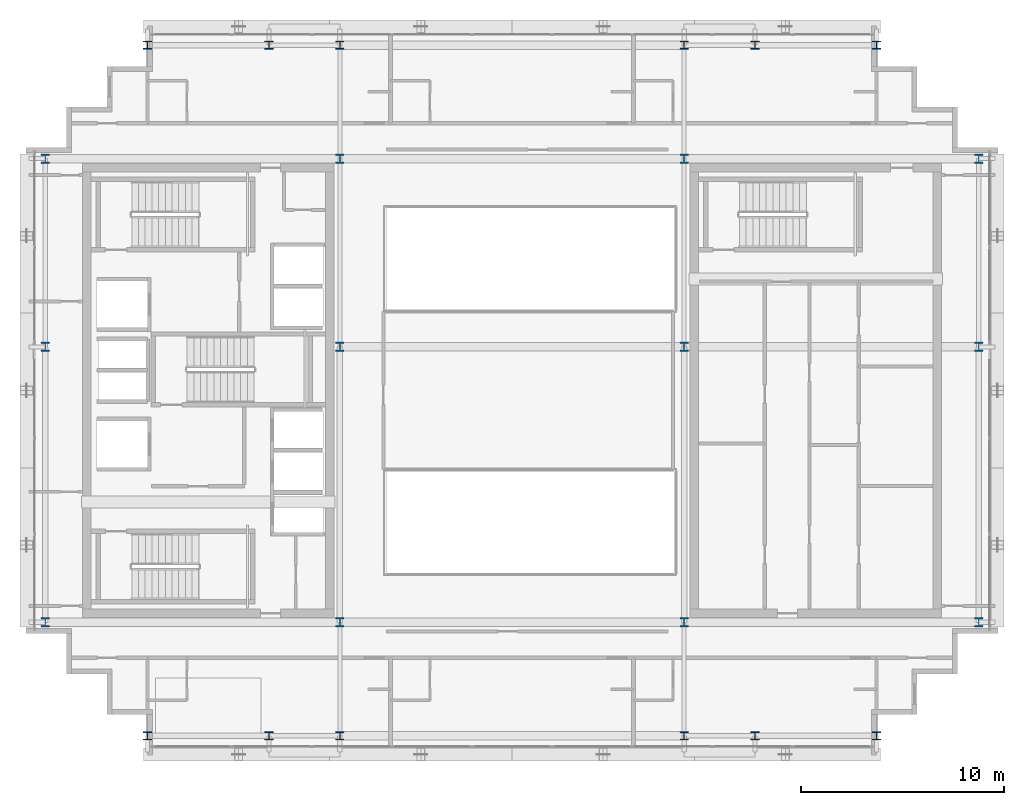
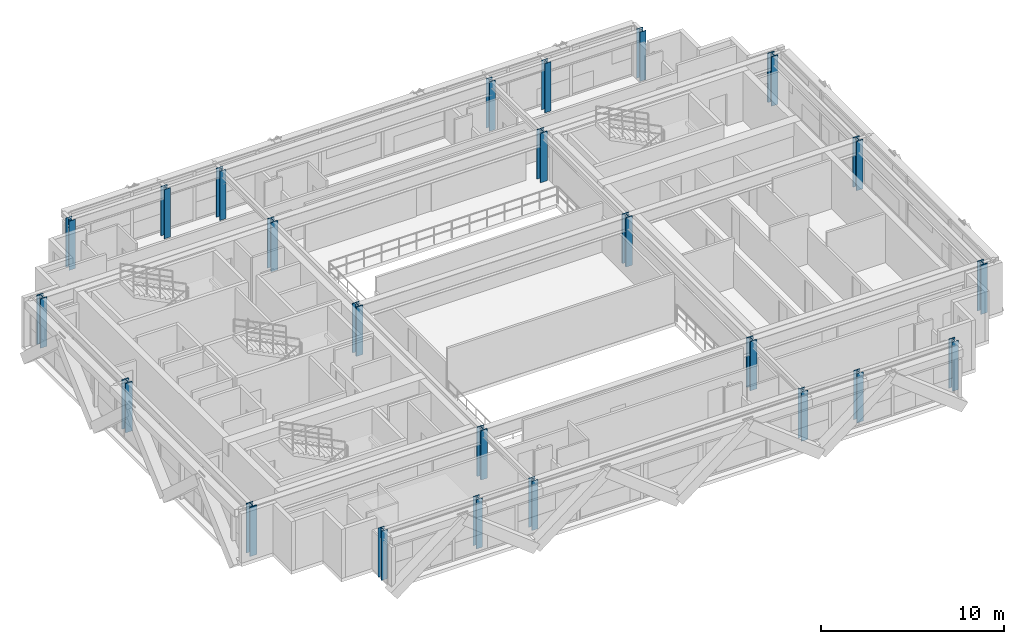
# One storey, part 1 of 28: 24 columns.
"""IFC4 building model written with IfcOpenShell, lengths in metres."""

from ifc_helpers import new_model, si_unit, direction, frame, origin, origin_2d, place, context, subcontext, project, spatial, i_section, extrude, source, transform, mapped, material, material_profile, profile_set, type_object, element, save


model = new_model("IFC4")

# Units and contexts
model_context = context("Model", 3, precision=1e-05, world=origin(), true_north=direction((0.0, 1.0)))
body_context = subcontext(model_context, "Body", "Model", "MODEL_VIEW")
ifc_project = project(units=[si_unit("LENGTHUNIT", "METRE"), si_unit("AREAUNIT", "SQUARE_METRE"), si_unit("VOLUMEUNIT", "CUBIC_METRE"), si_unit("PLANEANGLEUNIT", "RADIAN"), si_unit("MASSUNIT", "GRAM", prefix="KILO")], contexts=[model_context])

# Site, building, storey
site_placement = place(None, origin())
site = spatial("IfcSite", under=ifc_project, at=site_placement, CompositionType="ELEMENT")
building_placement = place(site_placement, origin())
building = spatial("IfcBuilding", under=site, at=building_placement, Name="Ocotamira Hotel", CompositionType="ELEMENT")
storey_placement = place(building_placement, frame((0.0, 0.0, 243.60009765625)))
storey = spatial("IfcBuildingStorey", under=building, at=storey_placement, Name="L61", CompositionType="ELEMENT", Elevation=243.60009765625)

# Columns
ifc_material_1 = material(Name="Steel ASTM A913 Grade 65", Category="steel")
ifc_material_profile_1 = material_profile(ifc_material_1, i_section(OverallWidth=0.422119140625, OverallDepth=0.465087890625, WebThickness=0.044921875, FlangeThickness=0.072509765625, FilletRadius=0.02490234375, at=origin_2d()), Name="W14X398")
ifc_profile_set_1 = profile_set([ifc_material_profile_1], Name="Steel ASTM A913 Grade 65")
column_type_1 = type_object("IfcColumnType", Name="COL-W14X398", PredefinedType="COLUMN", material=ifc_profile_set_1)
shared_shape_1 = source(origin(), body_context, "Body", "SweptSolid", [
    extrude(i_section(OverallWidth=0.422119140625, OverallDepth=0.465087890625, WebThickness=0.044921875, FlangeThickness=0.072509765625, FilletRadius=0.02490234375, at=origin_2d()), origin(), (0.0, 0.0, 1.0), 3.27978515625),
])
for number, where, z_axis, x_axis, name in (
    (1, (8.949951171875, 14.550048828125, 0.0), (0.0, 0.0, 1.0), (1.0, 0.0, 0.0), "L61 Column TW8_14"),
    (2, (23.5, 14.550048828125, 0.0), (0.0, 0.0, 1.0), (1.0, 0.0, 0.0), "L61 Column TW23_14"),
    (3, (40.5, 14.550048828125, 0.0), (0.0, 0.0, 1.0), (1.0, 0.0, 0.0), "L61 Column TE40_14"),
    (4, (55.050048828125, 14.550048828125, 0.0), (0.0, 0.0, 1.0), (1.0, 0.0, 0.0), "L61 Column TE55_14"),
    (5, (8.949951171875, 28.14990234375, 0.0), (0.0, 0.0, 1.0), (1.0, 0.0, 0.0), "L61 Column TW8_28"),
    (6, (23.5, 28.14990234375, 0.0), (0.0, 0.0, 1.0), (1.0, 0.0, 0.0), "L61 Column TW23_28"),
    (7, (40.5, 28.14990234375, 0.0), (0.0, 0.0, 1.0), (1.0, 0.0, 0.0), "L61 Column TE40_28"),
    (8, (55.050048828125, 28.14990234375, 0.0), (0.0, 0.0, 1.0), (1.0, 0.0, 0.0), "L61 Column TE55_28"),
    (9, (8.949951171875, 37.449951171875, 0.0), (0.0, 0.0, 1.0), (1.0, 0.0, 0.0), "L61 Column TW8_37"),
    (10, (23.5, 37.449951171875, 0.0), (0.0, 0.0, 1.0), (1.0, 0.0, 0.0), "L61 Column TW23_37"),
    (11, (40.5, 37.449951171875, 0.0), (0.0, 0.0, 1.0), (1.0, 0.0, 0.0), "L61 Column TE40_37"),
    (12, (55.050048828125, 37.449951171875, 0.0), (0.0, 0.0, 1.0), (1.0, 0.0, 0.0), "L61 Column TE55_37"),
):
    element("IfcColumn", number, at=place(storey_placement, frame(where, z_axis=z_axis, x_axis=x_axis)), inside=storey, type_object=column_type_1, Name=name, PredefinedType="COLUMN", context=body_context, shape_type="MappedRepresentation", body=[
        mapped(shared_shape_1, transform((0.0, 0.0, 0.0), scale=1.0)),
    ])
ifc_material_2 = material(Name="Steel ASTM A992 Grade 50", Category="steel")
ifc_material_profile_2 = material_profile(ifc_material_2, i_section(OverallWidth=0.39892578125, OverallDepth=0.386962890625, WebThickness=0.02099609375, FlangeThickness=0.033203125, FilletRadius=0.02490234375, at=origin_2d()), Name="W14X176")
ifc_profile_set_2 = profile_set([ifc_material_profile_2], Name="Steel ASTM A992 Grade 50")
column_type_2 = type_object("IfcColumnType", Name="COL-W14X176", PredefinedType="COLUMN", material=ifc_profile_set_2)
shared_shape_2 = source(origin(), body_context, "Body", "SweptSolid", [
    extrude(i_section(OverallWidth=0.39892578125, OverallDepth=0.386962890625, WebThickness=0.02099609375, FlangeThickness=0.033203125, FilletRadius=0.02490234375, at=origin_2d()), origin(), (0.0, 0.0, 1.0), 3.27978515625),
])
for number, where, z_axis, x_axis, name in (
    (13, (14.0, 8.949951171875, 0.0), (0.0, 0.0, 1.0), (1.0, 0.0, 0.0), "L61 Column NSP1_14"),
    (14, (20.0, 8.949951171875, 0.0), (0.0, 0.0, 1.0), (1.0, 0.0, 0.0), "L61 Column NSP1_20"),
    (15, (23.5, 8.949951171875, 0.0), (0.0, 0.0, 1.0), (1.0, 0.0, 0.0), "L61 Column NSP1_23"),
    (16, (40.5, 8.949951171875, 0.0), (0.0, 0.0, 1.0), (1.0, 0.0, 0.0), "L61 Column NSP1_40"),
    (17, (44.0, 8.949951171875, 0.0), (0.0, 0.0, 1.0), (1.0, 0.0, 0.0), "L61 Column NSP1_44"),
    (18, (50.0, 8.949951171875, 0.0), (0.0, 0.0, 1.0), (1.0, 0.0, 0.0), "L61 Column NSP1_50"),
    (19, (14.0, 43.050048828125, 0.0), (0.0, 0.0, 1.0), (1.0, 0.0, 0.0), "L61 Column NSP2_14"),
    (20, (20.0, 43.050048828125, 0.0), (0.0, 0.0, 1.0), (1.0, 0.0, 0.0), "L61 Column NSP2_20"),
    (21, (23.5, 43.050048828125, 0.0), (0.0, 0.0, 1.0), (1.0, 0.0, 0.0), "L61 Column NSP2_23"),
    (22, (40.5, 43.050048828125, 0.0), (0.0, 0.0, 1.0), (1.0, 0.0, 0.0), "L61 Column NSP2_40"),
    (23, (44.0, 43.050048828125, 0.0), (0.0, 0.0, 1.0), (1.0, 0.0, 0.0), "L61 Column NSP2_44"),
    (24, (50.0, 43.050048828125, 0.0), (0.0, 0.0, 1.0), (1.0, 0.0, 0.0), "L61 Column NSP2_50"),
):
    element("IfcColumn", number, at=place(storey_placement, frame(where, z_axis=z_axis, x_axis=x_axis)), inside=storey, type_object=column_type_2, Name=name, PredefinedType="COLUMN", context=body_context, shape_type="MappedRepresentation", body=[
        mapped(shared_shape_2, transform((0.0, 0.0, 0.0), scale=1.0)),
    ])

save(model, "model.ifc")
